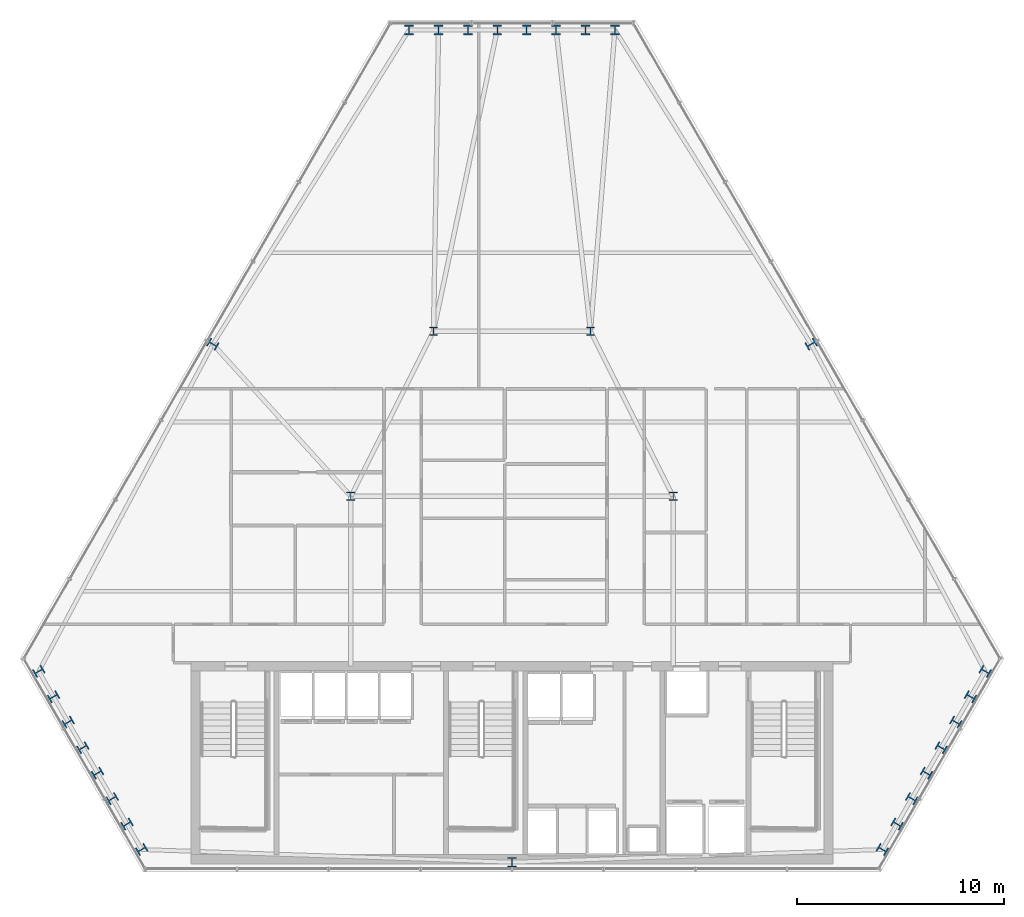
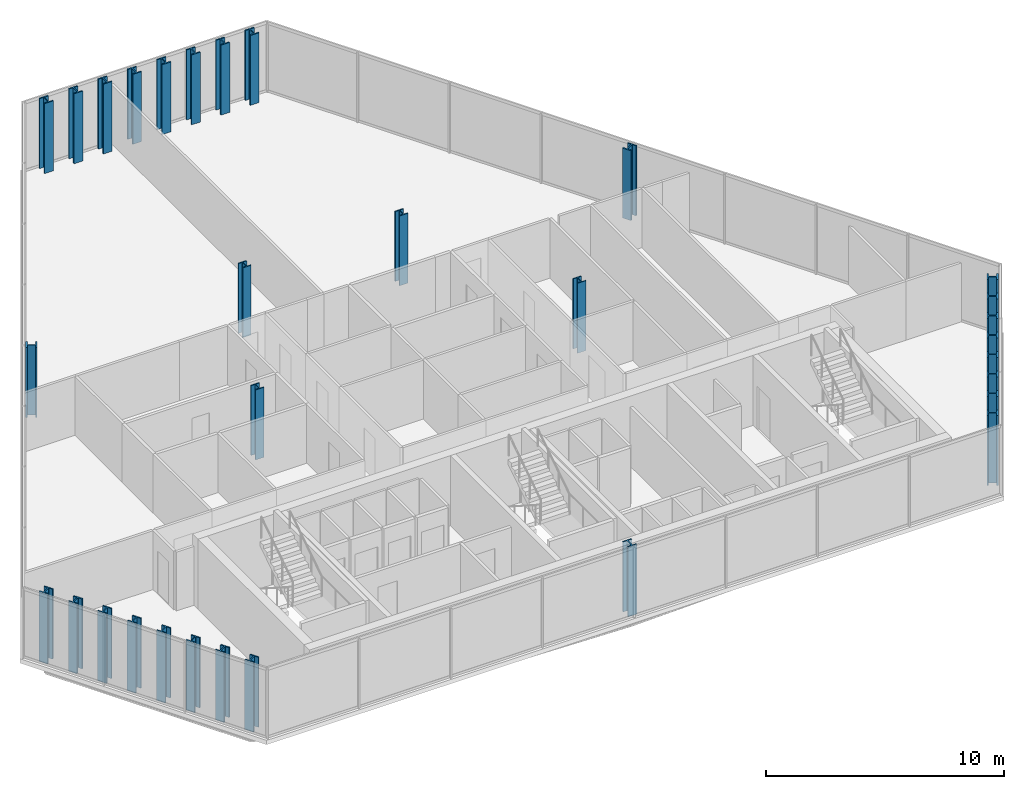
# One storey, part 1 of 31: 31 columns.
"""IFC4 building model written with IfcOpenShell, lengths in metres."""

from ifc_helpers import new_model, si_unit, direction, frame, origin, origin_2d, place, context, subcontext, project, spatial, i_section, extrude, material, material_profile, profile_set, type_object, element, save


model = new_model("IFC4")

# Units and contexts
model_context = context("Model", 3, precision=1e-05, world=origin(), true_north=direction((0.0, 1.0)))
body_context = subcontext(model_context, "Body", "Model", "MODEL_VIEW")
ifc_project = project(units=[si_unit("LENGTHUNIT", "METRE"), si_unit("AREAUNIT", "SQUARE_METRE"), si_unit("VOLUMEUNIT", "CUBIC_METRE"), si_unit("PLANEANGLEUNIT", "RADIAN"), si_unit("MASSUNIT", "GRAM", prefix="KILO")], contexts=[model_context])

# Site, building, storey
site_placement = place(None, origin())
site = spatial("IfcSite", under=ifc_project, at=site_placement, CompositionType="ELEMENT")
building_placement = place(site_placement, origin())
building = spatial("IfcBuilding", under=site, at=building_placement, Name="Ndaravel Arena Tower", CompositionType="ELEMENT")
storey_placement = place(building_placement, frame((0.0, 0.0, 142.199951171875)))
storey = spatial("IfcBuildingStorey", under=building, at=storey_placement, Name="L33", CompositionType="ELEMENT", Elevation=142.199951171875)

# Columns
ifc_material_1 = material(Name="Steel S355", Category="steel")
ifc_material_profile_1 = material_profile(ifc_material_1, i_section(OverallWidth=0.406982421875, OverallDepth=0.4189453125, WebThickness=0.030517578125, FlangeThickness=0.04931640625, FilletRadius=0.01513671875, at=origin_2d()), Name="UC 356x406x393")
ifc_profile_set_1 = profile_set([ifc_material_profile_1], Name="Steel S355")
column_type_1 = type_object("IfcColumnType", Name="COL-INT-UC393", PredefinedType="COLUMN", material=ifc_profile_set_1)
for number, where, z_axis, x_axis, name in (
    (1, (34.199951171875, 23.199951171875, 0.0), (0.0, 0.0, 1.0), (1.0, 0.0, 0.0), "L33 Interior Spine Column IC-01"),
    (2, (49.800048828125, 23.199951171875, 0.0), (0.0, 0.0, 1.0), (1.0, 0.0, 0.0), "L33 Interior Spine Column IC-02"),
    (3, (38.199951171875, 31.199951171875, 0.0), (0.0, 0.0, 1.0), (1.0, 0.0, 0.0), "L33 Interior Spine Column IC-03"),
    (4, (45.800048828125, 31.199951171875, 0.0), (0.0, 0.0, 1.0), (1.0, 0.0, 0.0), "L33 Interior Spine Column IC-04"),
):
    element("IfcColumn", number, at=place(storey_placement, frame(where, z_axis=z_axis, x_axis=x_axis)), inside=storey, type_object=column_type_1, Name=name, PredefinedType="COLUMN", context=body_context, shape_type="SweptSolid", body=[
        extrude(i_section(OverallWidth=0.406982421875, OverallDepth=0.4189453125, WebThickness=0.030517578125, FlangeThickness=0.04931640625, FilletRadius=0.01513671875, at=origin_2d()), origin(), (0.0, 0.0, 1.0), 3.580078125),
    ])
ifc_material_2 = material(Name="Steel S355", Category="steel")
ifc_material_profile_2 = material_profile(ifc_material_2, i_section(OverallWidth=0.427978515625, OverallDepth=0.48095703125, WebThickness=0.051025390625, FlangeThickness=0.06494140625, FilletRadius=0.014892578125, at=origin_2d()), Name="HD 400x677")
ifc_profile_set_2 = profile_set([ifc_material_profile_2], Name="Steel S355")
column_type_2 = type_object("IfcColumnType", Name="COL-TUBE-HD677", PredefinedType="COLUMN", material=ifc_profile_set_2)
for number, where, z_axis, x_axis, name in (
    (5, (42.0, 5.47998046875, 0.0), (0.0, 0.0, 1.0), (1.0, 0.0, 0.0), "L33 Framed Tube Column TC-01"),
    (6, (59.931396484375, 6.096435546875, 0.0), (0.0, 0.0, 1.0), (0.5, 0.866025403784, 0.0), "L33 Framed Tube Column TC-02"),
    (7, (60.643310546875, 7.329345703125, 0.0), (0.0, 0.0, 1.0), (0.5, 0.866025403784, 0.0), "L33 Framed Tube Column TC-03"),
    (8, (61.35498046875, 8.562255859375, 0.0), (0.0, 0.0, 1.0), (0.5, 0.866025403784, 0.0), "L33 Framed Tube Column TC-04"),
    (9, (62.06689453125, 9.795166015625, 0.0), (0.0, 0.0, 1.0), (0.5, 0.866025403784, 0.0), "L33 Framed Tube Column TC-05"),
    (10, (62.77880859375, 11.028076171875, 0.0), (0.0, 0.0, 1.0), (0.5, 0.866025403784, 0.0), "L33 Framed Tube Column TC-06"),
    (11, (63.490478515625, 12.260986328125, 0.0), (0.0, 0.0, 1.0), (0.5, 0.866025403784, 0.0), "L33 Framed Tube Column TC-07"),
    (12, (64.202392578125, 13.493896484375, 0.0), (0.0, 0.0, 1.0), (0.5, 0.866025403784, 0.0), "L33 Framed Tube Column TC-08"),
    (13, (64.9140625, 14.726806640625, 0.0), (0.0, 0.0, 1.0), (0.5, 0.866025403784, 0.0), "L33 Framed Tube Column TC-09"),
    (14, (56.482421875, 30.564208984375, 0.0), (0.0, 0.0, 1.0), (-0.5, 0.866025403784, 0.0), "L33 Framed Tube Column TC-10"),
    (15, (46.98291015625, 45.784912109375, 0.0), (0.0, 0.0, 1.0), (1.0, 0.0, 0.0), "L33 Framed Tube Column TC-11"),
    (16, (45.55908203125, 45.784912109375, 0.0), (0.0, 0.0, 1.0), (1.0, 0.0, 0.0), "L33 Framed Tube Column TC-12"),
    (17, (44.135498046875, 45.784912109375, 0.0), (0.0, 0.0, 1.0), (1.0, 0.0, 0.0), "L33 Framed Tube Column TC-13"),
    (18, (42.7119140625, 45.784912109375, 0.0), (0.0, 0.0, 1.0), (1.0, 0.0, 0.0), "L33 Framed Tube Column TC-14"),
    (19, (41.2880859375, 45.784912109375, 0.0), (0.0, 0.0, 1.0), (1.0, 0.0, 0.0), "L33 Framed Tube Column TC-15"),
    (20, (39.864501953125, 45.784912109375, 0.0), (0.0, 0.0, 1.0), (1.0, 0.0, 0.0), "L33 Framed Tube Column TC-16"),
    (21, (38.44091796875, 45.784912109375, 0.0), (0.0, 0.0, 1.0), (1.0, 0.0, 0.0), "L33 Framed Tube Column TC-17"),
    (22, (37.01708984375, 45.784912109375, 0.0), (0.0, 0.0, 1.0), (1.0, 0.0, 0.0), "L33 Framed Tube Column TC-18"),
    (23, (27.517578125, 30.564208984375, 0.0), (0.0, 0.0, 1.0), (0.5, 0.866025403784, 0.0), "L33 Framed Tube Column TC-19"),
    (24, (19.0859375, 14.726806640625, 0.0), (0.0, 0.0, 1.0), (-0.5, 0.866025403784, 0.0), "L33 Framed Tube Column TC-20"),
    (25, (19.797607421875, 13.493896484375, 0.0), (0.0, 0.0, 1.0), (-0.5, 0.866025403784, 0.0), "L33 Framed Tube Column TC-21"),
    (26, (20.509521484375, 12.260986328125, 0.0), (0.0, 0.0, 1.0), (-0.5, 0.866025403784, 0.0), "L33 Framed Tube Column TC-22"),
    (27, (21.22119140625, 11.028076171875, 0.0), (0.0, 0.0, 1.0), (-0.5, 0.866025403784, 0.0), "L33 Framed Tube Column TC-23"),
    (28, (21.93310546875, 9.795166015625, 0.0), (0.0, 0.0, 1.0), (-0.5, 0.866025403784, 0.0), "L33 Framed Tube Column TC-24"),
    (29, (22.64501953125, 8.562255859375, 0.0), (0.0, 0.0, 1.0), (-0.5, 0.866025403784, 0.0), "L33 Framed Tube Column TC-25"),
    (30, (23.356689453125, 7.329345703125, 0.0), (0.0, 0.0, 1.0), (-0.5, 0.866025403784, 0.0), "L33 Framed Tube Column TC-26"),
    (31, (24.068603515625, 6.096435546875, 0.0), (0.0, 0.0, 1.0), (-0.5, 0.866025403784, 0.0), "L33 Framed Tube Column TC-27"),
):
    element("IfcColumn", number, at=place(storey_placement, frame(where, z_axis=z_axis, x_axis=x_axis)), inside=storey, type_object=column_type_2, Name=name, PredefinedType="COLUMN", context=body_context, shape_type="SweptSolid", body=[
        extrude(i_section(OverallWidth=0.427978515625, OverallDepth=0.48095703125, WebThickness=0.051025390625, FlangeThickness=0.06494140625, FilletRadius=0.014892578125, at=origin_2d()), origin(), (0.0, 0.0, 1.0), 3.580078125),
    ])

save(model, "model.ifc")
